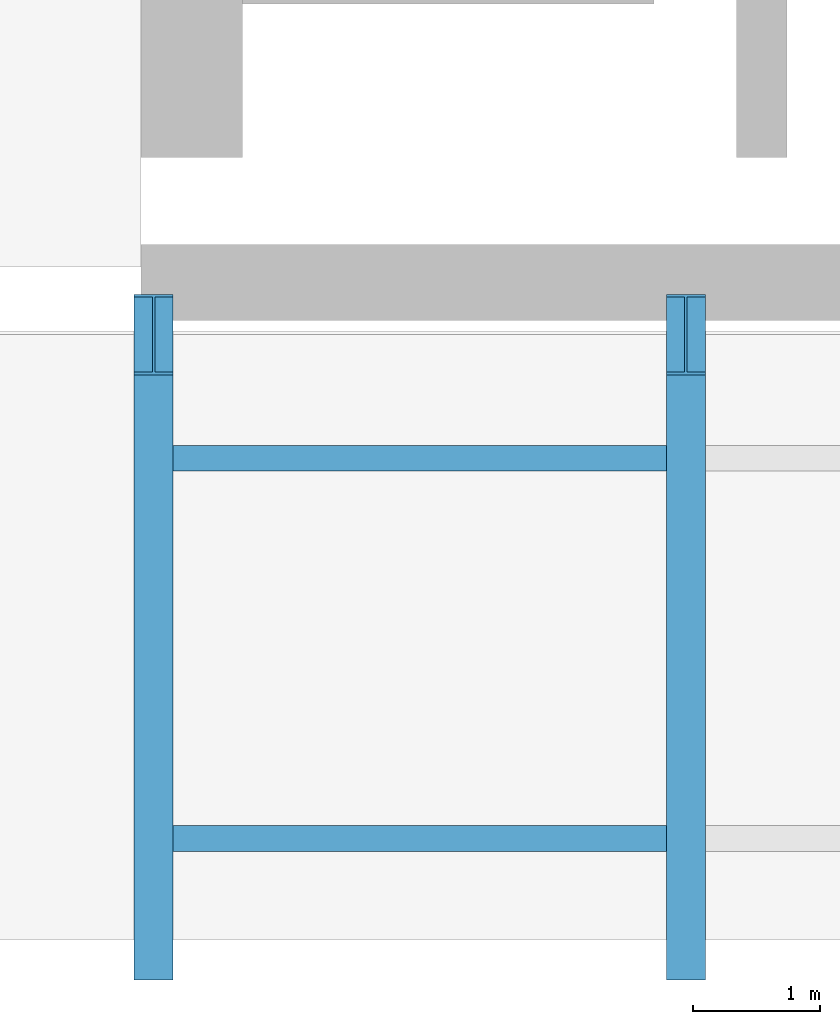
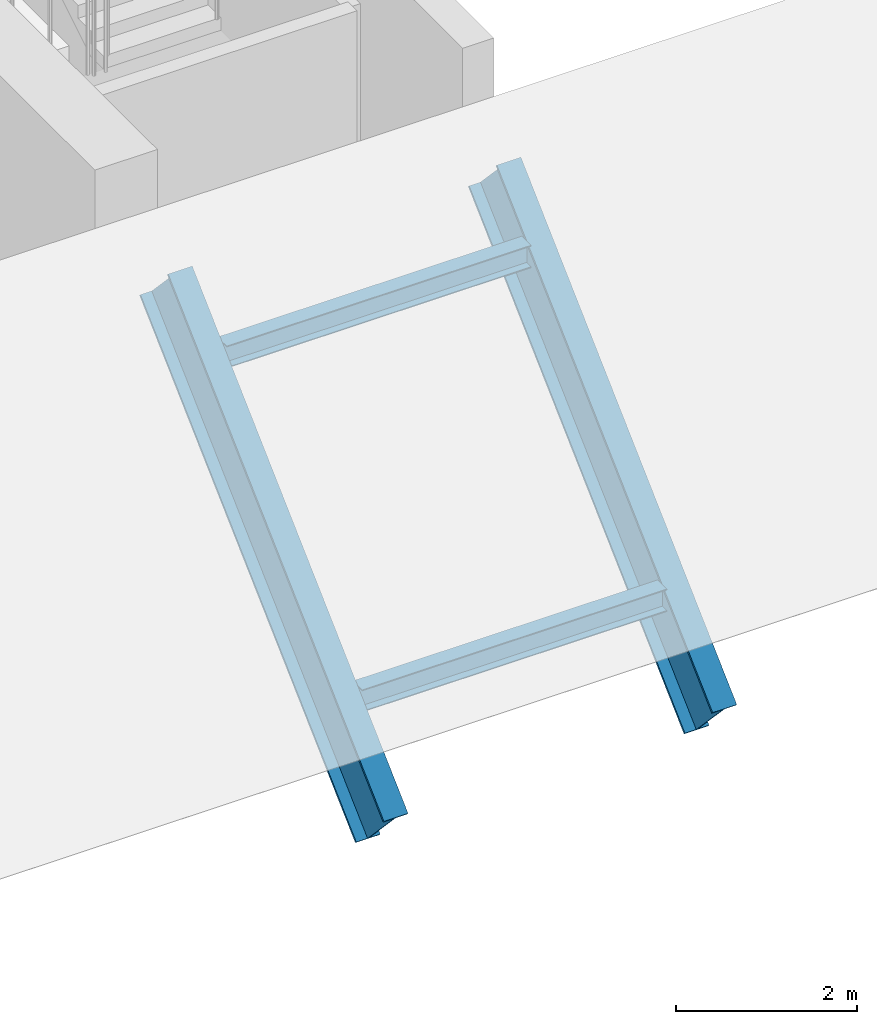
# One storey, part 3 of 20: 4 members.
"""IFC4 building model written with IfcOpenShell, lengths in metres."""

from ifc_helpers import new_model, si_unit, direction, frame, origin, origin_2d, place, context, subcontext, project, spatial, i_section, extrude, material, material_profile, profile_set, type_object, element, save


model = new_model("IFC4")

# Units and contexts
model_context = context("Model", 3, precision=1e-05, world=origin(), true_north=direction((0.0, 1.0)))
body_context = subcontext(model_context, "Body", "Model", "MODEL_VIEW")
ifc_project = project(units=[si_unit("LENGTHUNIT", "METRE"), si_unit("AREAUNIT", "SQUARE_METRE"), si_unit("VOLUMEUNIT", "CUBIC_METRE"), si_unit("PLANEANGLEUNIT", "RADIAN"), si_unit("MASSUNIT", "GRAM", prefix="KILO")], contexts=[model_context])

# Site, building, storey
site_placement = place(None, origin())
site = spatial("IfcSite", under=ifc_project, at=site_placement, CompositionType="ELEMENT")
building_placement = place(site_placement, origin())
building = spatial("IfcBuilding", under=site, at=building_placement, Name="Ostrander Bayou Hotel Tower", CompositionType="ELEMENT")
storey_placement = place(building_placement, frame((0.0, 0.0, 284.0)))
storey = spatial("IfcBuildingStorey", under=building, at=storey_placement, Name="L70", CompositionType="ELEMENT", Elevation=284.0)

# Members
ifc_material_1 = material(Name="Steel ASTM A992", Category="steel")
ifc_material_profile_1 = material_profile(ifc_material_1, i_section(OverallWidth=0.203369140625, OverallDepth=0.30322265625, WebThickness=0.007568359375, FlangeThickness=0.01318359375, at=origin_2d()))
ifc_profile_set_1 = profile_set([ifc_material_profile_1], Name="Steel ASTM A992")
member_type_1 = type_object("IfcMemberType", Name="CP3 crown purlin W12x40", PredefinedType="PURLIN", material=ifc_profile_set_1)
for number, where, z_axis, x_axis, name in (
    (1, (-8.24609375, -5.7880859375, 0.2587890625), (1.0, 0.0, 0.0), (0.0, 1.0, 0.0), "CP3 P1-4"),
    (2, (-8.24609375, -2.7880859375, 3.084228515625), (1.0, 0.0, 0.0), (0.0, 1.0, 0.0), "CP3 P1-5"),
):
    element("IfcMember", number, at=place(storey_placement, frame(where, z_axis=z_axis, x_axis=x_axis)), inside=storey, type_object=member_type_1, Name=name, PredefinedType="PURLIN", context=body_context, shape_type="SweptSolid", body=[
        extrude(i_section(OverallWidth=0.203369140625, OverallDepth=0.30322265625, WebThickness=0.007568359375, FlangeThickness=0.01318359375, at=origin_2d()), origin(), (0.0, 0.0, 1.0), 3.89208984375),
    ])
ifc_material_2 = material(Name="Steel ASTM A992", Category="steel")
ifc_material_profile_2 = material_profile(ifc_material_2, i_section(OverallWidth=0.307861328125, OverallDepth=0.9267578125, WebThickness=0.01953125, FlangeThickness=0.031982421875, at=origin_2d()))
ifc_profile_set_2 = profile_set([ifc_material_profile_2], Name="Steel ASTM A992")
member_type_2 = type_object("IfcMemberType", Name="CR1 crown rafter W36x194", PredefinedType="RAFTER", material=ifc_profile_set_2)
for number, where, z_axis, x_axis, name in (
    (3, (-8.39990234375, -6.587890625, -0.979736328125), (0.0, 0.727941080121, 0.68563968954), (-1.0, 0.0, 0.0), "CR1 R1-3"),
    (4, (-4.199951171875, -6.587890625, -0.979736328125), (0.0, 0.727941080121, 0.68563968954), (-1.0, 0.0, 0.0), "CR1 R2-3"),
):
    element("IfcMember", number, at=place(storey_placement, frame(where, z_axis=z_axis, x_axis=x_axis)), inside=storey, type_object=member_type_2, Name=name, PredefinedType="RAFTER", context=body_context, shape_type="SweptSolid", body=[
        extrude(i_section(OverallWidth=0.307861328125, OverallDepth=0.9267578125, WebThickness=0.01953125, FlangeThickness=0.031982421875, at=origin_2d()), origin(), (0.0, 0.0, 1.0), 6.562255859375),
    ])

save(model, "model.ifc")
